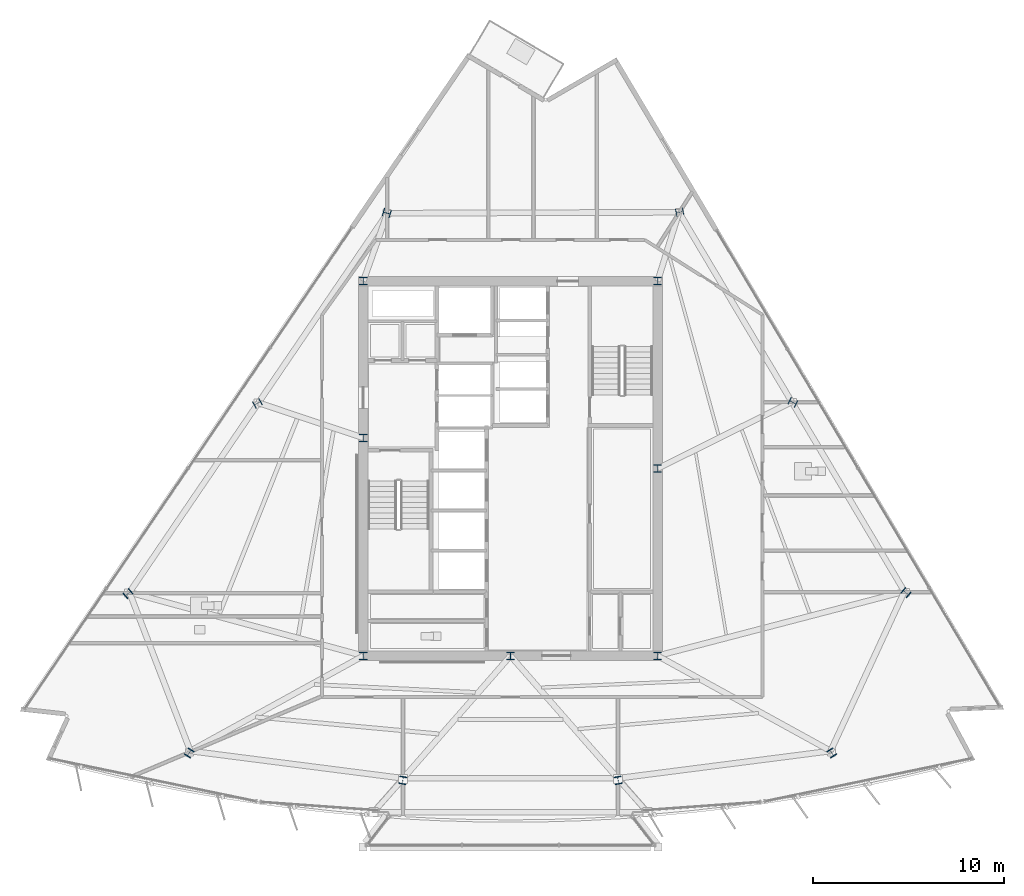
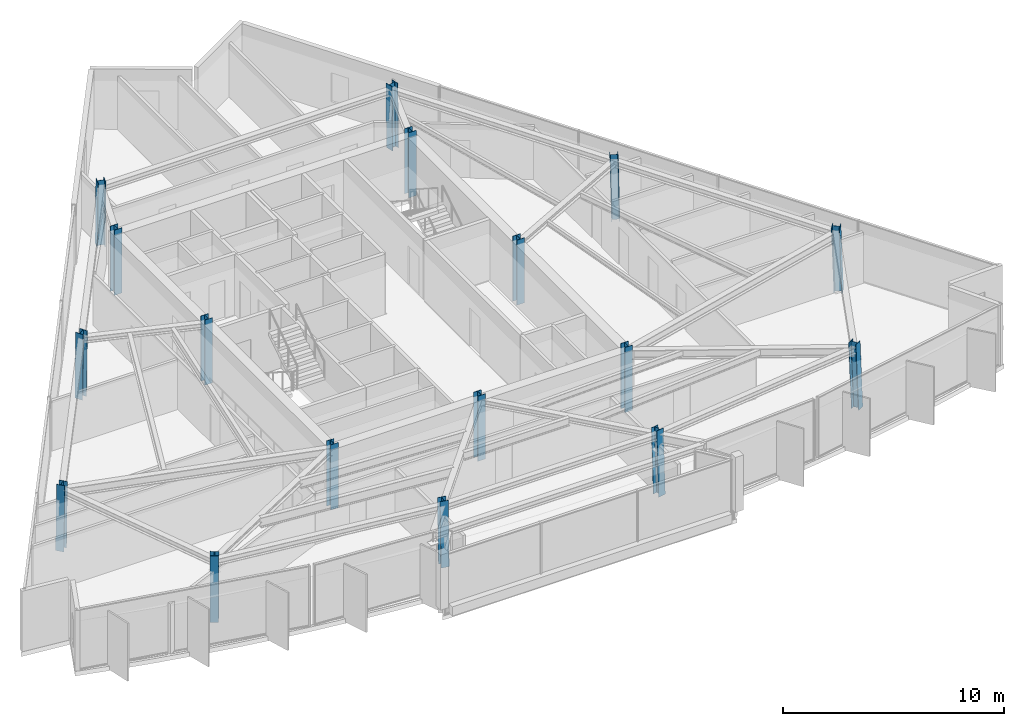
# One storey, part 1 of 14: 17 columns.
"""IFC4 building model written with IfcOpenShell, lengths in metres."""

from ifc_helpers import new_model, si_unit, direction, frame, origin, origin_2d, place, context, subcontext, project, spatial, i_section, extrude, material, material_profile, profile_set, type_object, element, save


model = new_model("IFC4")

# Units and contexts
model_context = context("Model", 3, precision=1e-05, world=origin(), true_north=direction((0.0, 1.0)))
body_context = subcontext(model_context, "Body", "Model", "MODEL_VIEW")
ifc_project = project(units=[si_unit("LENGTHUNIT", "METRE"), si_unit("AREAUNIT", "SQUARE_METRE"), si_unit("VOLUMEUNIT", "CUBIC_METRE"), si_unit("PLANEANGLEUNIT", "RADIAN"), si_unit("MASSUNIT", "GRAM", prefix="KILO")], contexts=[model_context])

# Site, building, storey
site_placement = place(None, origin())
site = spatial("IfcSite", under=ifc_project, at=site_placement, CompositionType="ELEMENT")
building_placement = place(site_placement, origin())
building = spatial("IfcBuilding", under=site, at=building_placement, Name="Savorim Split Tower", CompositionType="ELEMENT")
storey_placement = place(building_placement, frame((0.0, 0.0, 205.5)))
storey = spatial("IfcBuildingStorey", under=building, at=storey_placement, Name="L54", CompositionType="ELEMENT", Elevation=205.5)

# Columns
ifc_material = material(Name="Steel S355", Category="steel")
ifc_material_profile = material_profile(ifc_material, i_section(OverallWidth=0.39794921875, OverallDepth=0.386962890625, WebThickness=0.013427734375, FlangeThickness=0.02197265625, FilletRadius=0.014892578125, at=origin_2d()), Name="HD 400x262")
ifc_profile_set = profile_set([ifc_material_profile], Name="Steel S355")
column_type = type_object("IfcColumnType", Name="COL-HD-262", PredefinedType="COLUMN", material=ifc_profile_set)
for number, where, z_axis, x_axis, name in (
    (1, (-7.699951171875, -9.39990234375, 0.0), (0.0, 0.0, 1.0), (1.0, 0.0, 0.0), "L54 Core Structural Column TC-C1"),
    (2, (7.699951171875, -9.39990234375, 0.0), (0.0, 0.0, 1.0), (1.0, 0.0, 0.0), "L54 Core Structural Column TC-C2"),
    (3, (7.699951171875, 10.199951171875, 0.0), (0.0, 0.0, 1.0), (1.0, 0.0, 0.0), "L54 Core Structural Column TC-C3"),
    (4, (-7.699951171875, 10.199951171875, 0.0), (0.0, 0.0, 1.0), (1.0, 0.0, 0.0), "L54 Core Structural Column TC-C4"),
    (5, (0.0, -9.39990234375, 0.0), (0.0, 0.0, 1.0), (1.0, 0.0, 0.0), "L54 Core Structural Column TC-C5"),
    (6, (7.699951171875, 0.39990234375, 0.0), (0.0, 0.0, 1.0), (1.0, 0.0, 0.0), "L54 Core Structural Column TC-C6"),
    (7, (-7.699951171875, 2.0, 0.0), (0.0, 0.0, 1.0), (1.0, 0.0, 0.0), "L54 Core Structural Column TC-C7"),
):
    element("IfcColumn", number, at=place(storey_placement, frame(where, z_axis=z_axis, x_axis=x_axis)), inside=storey, type_object=column_type, Name=name, PredefinedType="COLUMN", context=body_context, shape_type="SweptSolid", body=[
        extrude(i_section(OverallWidth=0.39794921875, OverallDepth=0.386962890625, WebThickness=0.013427734375, FlangeThickness=0.02197265625, FilletRadius=0.014892578125, at=origin_2d()), origin(), (0.0, 0.0, 1.0), 3.60009765625),
    ])
column_1_placement = place(storey_placement, frame((-16.8203125, -14.49951171875, 0.005615234375), z_axis=(0.020664238418, 0.033511412961, 0.999224686671), x_axis=(-0.851183725565, 0.524867855115, 0.0)))
element("IfcColumn", 8, at=column_1_placement, inside=storey, type_object=column_type, Name="L54 Tapered Perimeter Column PC-S1", PredefinedType="COLUMN", context=body_context, shape_type="SweptSolid", body=[
    extrude(i_section(OverallWidth=0.39794921875, OverallDepth=0.386962890625, WebThickness=0.013427734375, FlangeThickness=0.02197265625, FilletRadius=0.014892578125, at=origin_2d()), origin(), (0.0, 0.0, 1.0), 3.591552734375),
])
for number, where, z_axis, x_axis, name in (
    (9, (-5.63720703125, -15.935302734375, 0.005615234375), (0.006866308162, 0.0352833063, 0.999353762243), (-0.981585848295, 0.191021523464, 0.0), "L54 Tapered Perimeter Column PC-S2"),
    (10, (5.63720703125, -15.935302734375, 0.005615234375), (-0.006866308162, 0.0352833063, 0.999353762243), (-0.981585848295, -0.191021523464, 0.0), "L54 Tapered Perimeter Column PC-S3"),
):
    element("IfcColumn", number, at=place(storey_placement, frame(where, z_axis=z_axis, x_axis=x_axis)), inside=storey, type_object=column_type, Name=name, PredefinedType="COLUMN", context=body_context, shape_type="SweptSolid", body=[
        extrude(i_section(OverallWidth=0.39794921875, OverallDepth=0.386962890625, WebThickness=0.013427734375, FlangeThickness=0.02197265625, FilletRadius=0.014892578125, at=origin_2d()), origin(), (0.0, 0.0, 1.0), 3.59130859375),
    ])
column_2_placement = place(storey_placement, frame((16.8203125, -14.49951171875, 0.005615234375), z_axis=(-0.020664238418, 0.033511412961, 0.999224686671), x_axis=(-0.851183725565, -0.524867855115, 0.0)))
element("IfcColumn", 11, at=column_2_placement, inside=storey, type_object=column_type, Name="L54 Tapered Perimeter Column PC-S4", PredefinedType="COLUMN", context=body_context, shape_type="SweptSolid", body=[
    extrude(i_section(OverallWidth=0.39794921875, OverallDepth=0.386962890625, WebThickness=0.013427734375, FlangeThickness=0.02197265625, FilletRadius=0.014892578125, at=origin_2d()), origin(), (0.0, 0.0, 1.0), 3.591552734375),
])
column_3_placement = place(storey_placement, frame((20.702392578125, -6.109130859375, 0.005615234375), z_axis=(-0.026039494941, 0.021620259507, 0.999427090428), x_axis=(-0.638800249892, -0.769372628015, 0.0)))
element("IfcColumn", 12, at=column_3_placement, inside=storey, type_object=column_type, Name="L54 Tapered Perimeter Column PC-E1", PredefinedType="COLUMN", context=body_context, shape_type="SweptSolid", body=[
    extrude(i_section(OverallWidth=0.39794921875, OverallDepth=0.386962890625, WebThickness=0.013427734375, FlangeThickness=0.02197265625, FilletRadius=0.014892578125, at=origin_2d()), origin(), (0.0, 0.0, 1.0), 3.5908203125),
])
column_4_placement = place(storey_placement, frame((14.780029296875, 3.850830078125, 0.005615234375), z_axis=(-0.018907326549, 0.00952167524, 0.999775900241), x_axis=(-0.449781931574, -0.893138406984, 0.0)))
element("IfcColumn", 13, at=column_4_placement, inside=storey, type_object=column_type, Name="L54 Tapered Perimeter Column PC-E2", PredefinedType="COLUMN", context=body_context, shape_type="SweptSolid", body=[
    extrude(i_section(OverallWidth=0.39794921875, OverallDepth=0.386962890625, WebThickness=0.013427734375, FlangeThickness=0.02197265625, FilletRadius=0.014892578125, at=origin_2d()), origin(), (0.0, 0.0, 1.0), 3.589599609375),
])
for number, where, z_axis, x_axis, name in (
    (14, (8.857421875, 13.81103515625, 0.005615234375), (-0.011699840322, -0.002584848443, 0.999928213571), (0.215728093413, -0.976453475447, 0.0), "L54 Tapered Perimeter Column PC-E3"),
    (15, (-6.47119140625, 13.76220703125, 0.005615234375), (0.008775143007, -0.002584925847, 0.999958156636), (0.282568886397, 0.959247009086, 0.0), "L54 Tapered Perimeter Column PC-W1"),
):
    element("IfcColumn", number, at=place(storey_placement, frame(where, z_axis=z_axis, x_axis=x_axis)), inside=storey, type_object=column_type, Name=name, PredefinedType="COLUMN", context=body_context, shape_type="SweptSolid", body=[
        extrude(i_section(OverallWidth=0.39794921875, OverallDepth=0.386962890625, WebThickness=0.013427734375, FlangeThickness=0.02197265625, FilletRadius=0.014892578125, at=origin_2d()), origin(), (0.0, 0.0, 1.0), 3.589111328125),
    ])
column_5_placement = place(storey_placement, frame((-13.246826171875, 3.802001953125, 0.005615234375), z_axis=(0.017003572908, 0.009522000828, 0.999810086971), x_axis=(-0.488603368932, 0.87250601595, 0.0)))
element("IfcColumn", 16, at=column_5_placement, inside=storey, type_object=column_type, Name="L54 Tapered Perimeter Column PC-W2", PredefinedType="COLUMN", context=body_context, shape_type="SweptSolid", body=[
    extrude(i_section(OverallWidth=0.39794921875, OverallDepth=0.386962890625, WebThickness=0.013427734375, FlangeThickness=0.02197265625, FilletRadius=0.014892578125, at=origin_2d()), origin(), (0.0, 0.0, 1.0), 3.589599609375),
])
column_6_placement = place(storey_placement, frame((-20.022705078125, -6.157958984375, 0.005615234375), z_axis=(0.025292109804, 0.02162067451, 0.999446274502), x_axis=(-0.649781149204, 0.760121344352, 0.0)))
element("IfcColumn", 17, at=column_6_placement, inside=storey, type_object=column_type, Name="L54 Tapered Perimeter Column PC-W3", PredefinedType="COLUMN", context=body_context, shape_type="SweptSolid", body=[
    extrude(i_section(OverallWidth=0.39794921875, OverallDepth=0.386962890625, WebThickness=0.013427734375, FlangeThickness=0.02197265625, FilletRadius=0.014892578125, at=origin_2d()), origin(), (0.0, 0.0, 1.0), 3.5908203125),
])

save(model, "model.ifc")
